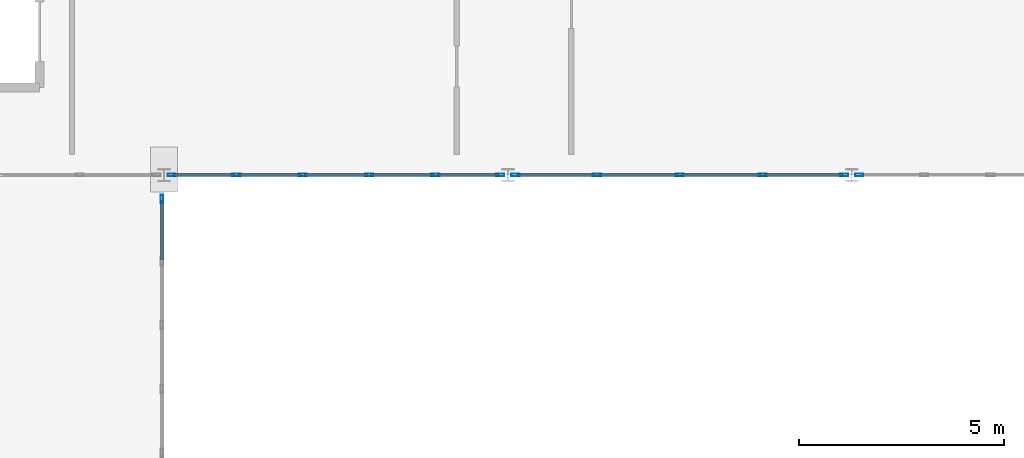
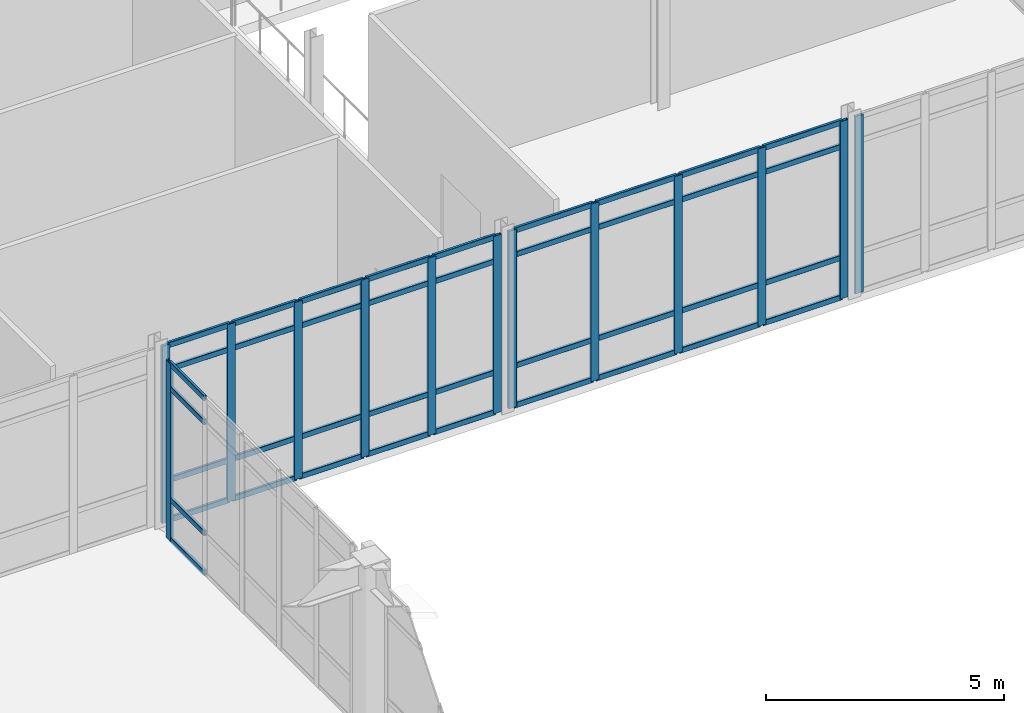
# One storey, part 75 of 154: 53 members, 4 elements without a shape of their own.
"""IFC4 building model written with IfcOpenShell, lengths in metres."""

from ifc_helpers import new_model, si_unit, direction, frame, origin, origin_2d, place, context, subcontext, project, spatial, hollow_rectangle, extrude, material, layer, layer_set, material_profile, profile_set, type_object, element, aggregate, save


model = new_model("IFC4")

# Units and contexts
model_context = context("Model", 3, precision=1e-05, world=origin(), true_north=direction((0.0, 1.0)))
body_context = subcontext(model_context, "Body", "Model", "MODEL_VIEW")
ifc_project = project(units=[si_unit("LENGTHUNIT", "METRE"), si_unit("AREAUNIT", "SQUARE_METRE"), si_unit("VOLUMEUNIT", "CUBIC_METRE"), si_unit("PLANEANGLEUNIT", "RADIAN"), si_unit("MASSUNIT", "GRAM", prefix="KILO")], contexts=[model_context])

# Site, building, storey
site_placement = place(None, origin())
site = spatial("IfcSite", under=ifc_project, at=site_placement, CompositionType="ELEMENT")
building_placement = place(site_placement, origin())
building = spatial("IfcBuilding", under=site, at=building_placement, Name="Kazehara Bluff Congress Hotel", CompositionType="ELEMENT")
storey_placement = place(building_placement, frame((0.0, 0.0, 10.199951171875)))
storey = spatial("IfcBuildingStorey", under=building, at=storey_placement, Name="L02", CompositionType="ELEMENT", Elevation=10.199951171875)

# Curtain wall, member
ifc_material_1 = material(Name="Anodised aluminium", Category="aluminium")
ifc_layer_1 = layer(ifc_material_1, 0.159912109375)
ifc_layer_set_1 = layer_set([ifc_layer_1], Name="Anodised aluminium")
curtain_wall_type_1 = type_object("IfcCurtainWallType", Name="TP-CW-03", PredefinedType="NOTDEFINED", material=ifc_layer_set_1)
curtain_wall_1_placement = place(storey_placement, origin())
curtain_wall_1 = element("IfcCurtainWall", 1, at=curtain_wall_1_placement, inside=storey, type_object=curtain_wall_type_1, Name="L02 curtain wall CW-03 CW-BRG-34-L02-B", PredefinedType="NOTDEFINED")
ifc_material_2 = material(Name="Anodised aluminium", Category="aluminium")
ifc_material_profile_1 = material_profile(ifc_material_2, hollow_rectangle(XDim=0.070068359375, YDim=0.199951171875, WallThickness=0.0048828125, InnerFilletRadius=0.0048828125, OuterFilletRadius=0.010009765625, at=origin_2d()))
ifc_profile_set_1 = profile_set([ifc_material_profile_1], Name="Anodised aluminium")
member_type_1 = type_object("IfcMemberType", Name="TP-CWM-03", PredefinedType="MULLION", material=ifc_profile_set_1)
member_1_placement = place(storey_placement, frame((67.60009765625, 80.31494140625, 0.0), z_axis=(0.0, 0.0, 1.0), x_axis=(-1.0, 0.0, 0.0)))
member_1 = element("IfcMember", 2, at=member_1_placement, type_object=member_type_1, Name="CW-03 mullion 6", PredefinedType="MULLION", context=body_context, shape_type="SweptSolid", body=[
    extrude(hollow_rectangle(XDim=0.070068359375, YDim=0.199951171875, WallThickness=0.0048828125, InnerFilletRadius=0.0048828125, OuterFilletRadius=0.010009765625, at=origin_2d()), origin(), (0.0, 0.0, 1.0), 4.545166015625),
])

# Curtain wall, members
ifc_material_3 = material(Name="Anodised aluminium", Category="aluminium")
ifc_layer_2 = layer(ifc_material_3, 0.159912109375)
ifc_layer_set_2 = layer_set([ifc_layer_2], Name="Anodised aluminium")
curtain_wall_type_2 = type_object("IfcCurtainWallType", Name="TP-CW-39", PredefinedType="NOTDEFINED", material=ifc_layer_set_2)
curtain_wall_2_placement = place(storey_placement, origin())
curtain_wall_2 = element("IfcCurtainWall", 3, at=curtain_wall_2_placement, inside=storey, type_object=curtain_wall_type_2, Name="L02 curtain wall CW-39 CW-V3-L02-Y8090-6780", PredefinedType="NOTDEFINED")
member_2_placement = place(storey_placement, frame((67.8349609375, 80.89990234375, 0.0), z_axis=(0.0, 0.0, 1.0), x_axis=(0.0, 1.0, 0.0)))
member_2 = element("IfcMember", 4, at=member_2_placement, type_object=member_type_1, Name="CW-39 mullion 1", PredefinedType="MULLION", context=body_context, shape_type="SweptSolid", body=[
    extrude(hollow_rectangle(XDim=0.070068359375, YDim=0.199951171875, WallThickness=0.0048828125, InnerFilletRadius=0.0048828125, OuterFilletRadius=0.010009765625, at=origin_2d()), origin(), (0.0, 0.0, 1.0), 4.545166015625),
])
member_3_placement = place(storey_placement, frame((69.419921875, 80.89990234375, 0.0), z_axis=(0.0, 0.0, 1.0), x_axis=(0.0, 1.0, 0.0)))
member_3 = element("IfcMember", 5, at=member_3_placement, type_object=member_type_1, Name="CW-39 mullion 2", PredefinedType="MULLION", context=body_context, shape_type="SweptSolid", body=[
    extrude(hollow_rectangle(XDim=0.070068359375, YDim=0.199951171875, WallThickness=0.0048828125, InnerFilletRadius=0.0048828125, OuterFilletRadius=0.010009765625, at=origin_2d()), origin(), (0.0, 0.0, 1.0), 4.545166015625),
])
member_4_placement = place(storey_placement, frame((71.0400390625, 80.89990234375, 0.0), z_axis=(0.0, 0.0, 1.0), x_axis=(0.0, 1.0, 0.0)))
member_4 = element("IfcMember", 6, at=member_4_placement, type_object=member_type_1, Name="CW-39 mullion 3", PredefinedType="MULLION", context=body_context, shape_type="SweptSolid", body=[
    extrude(hollow_rectangle(XDim=0.070068359375, YDim=0.199951171875, WallThickness=0.0048828125, InnerFilletRadius=0.0048828125, OuterFilletRadius=0.010009765625, at=origin_2d()), origin(), (0.0, 0.0, 1.0), 4.545166015625),
])
member_5_placement = place(storey_placement, frame((72.659912109375, 80.89990234375, 0.0), z_axis=(0.0, 0.0, 1.0), x_axis=(0.0, 1.0, 0.0)))
member_5 = element("IfcMember", 7, at=member_5_placement, type_object=member_type_1, Name="CW-39 mullion 4", PredefinedType="MULLION", context=body_context, shape_type="SweptSolid", body=[
    extrude(hollow_rectangle(XDim=0.070068359375, YDim=0.199951171875, WallThickness=0.0048828125, InnerFilletRadius=0.0048828125, OuterFilletRadius=0.010009765625, at=origin_2d()), origin(), (0.0, 0.0, 1.0), 4.545166015625),
])
member_6_placement = place(storey_placement, frame((74.280029296875, 80.89990234375, 0.0), z_axis=(0.0, 0.0, 1.0), x_axis=(0.0, 1.0, 0.0)))
member_6 = element("IfcMember", 8, at=member_6_placement, type_object=member_type_1, Name="CW-39 mullion 5", PredefinedType="MULLION", context=body_context, shape_type="SweptSolid", body=[
    extrude(hollow_rectangle(XDim=0.070068359375, YDim=0.199951171875, WallThickness=0.0048828125, InnerFilletRadius=0.0048828125, OuterFilletRadius=0.010009765625, at=origin_2d()), origin(), (0.0, 0.0, 1.0), 4.545166015625),
])
member_7_placement = place(storey_placement, frame((75.864990234375, 80.89990234375, 0.0), z_axis=(0.0, 0.0, 1.0), x_axis=(0.0, 1.0, 0.0)))
member_7 = element("IfcMember", 9, at=member_7_placement, type_object=member_type_1, Name="CW-39 mullion 6", PredefinedType="MULLION", context=body_context, shape_type="SweptSolid", body=[
    extrude(hollow_rectangle(XDim=0.070068359375, YDim=0.199951171875, WallThickness=0.0048828125, InnerFilletRadius=0.0048828125, OuterFilletRadius=0.010009765625, at=origin_2d()), origin(), (0.0, 0.0, 1.0), 4.545166015625),
])

curtain_wall_3_placement = place(storey_placement, origin())
curtain_wall_3 = element("IfcCurtainWall", 10, at=curtain_wall_3_placement, inside=storey, type_object=curtain_wall_type_2, Name="L02 curtain wall CW-39 CW-V3-L02-Y8090-7620", PredefinedType="NOTDEFINED")
member_8_placement = place(storey_placement, frame((76.235107421875, 80.89990234375, 0.0), z_axis=(0.0, 0.0, 1.0), x_axis=(0.0, 1.0, 0.0)))
member_8 = element("IfcMember", 11, at=member_8_placement, type_object=member_type_1, Name="CW-39 mullion 1", PredefinedType="MULLION", context=body_context, shape_type="SweptSolid", body=[
    extrude(hollow_rectangle(XDim=0.070068359375, YDim=0.199951171875, WallThickness=0.0048828125, InnerFilletRadius=0.0048828125, OuterFilletRadius=0.010009765625, at=origin_2d()), origin(), (0.0, 0.0, 1.0), 4.545166015625),
])
member_9_placement = place(storey_placement, frame((78.22509765625, 80.89990234375, 0.0), z_axis=(0.0, 0.0, 1.0), x_axis=(0.0, 1.0, 0.0)))
member_9 = element("IfcMember", 12, at=member_9_placement, type_object=member_type_1, Name="CW-39 mullion 2", PredefinedType="MULLION", context=body_context, shape_type="SweptSolid", body=[
    extrude(hollow_rectangle(XDim=0.070068359375, YDim=0.199951171875, WallThickness=0.0048828125, InnerFilletRadius=0.0048828125, OuterFilletRadius=0.010009765625, at=origin_2d()), origin(), (0.0, 0.0, 1.0), 4.545166015625),
])
member_10_placement = place(storey_placement, frame((80.25, 80.89990234375, 0.0), z_axis=(0.0, 0.0, 1.0), x_axis=(0.0, 1.0, 0.0)))
member_10 = element("IfcMember", 13, at=member_10_placement, type_object=member_type_1, Name="CW-39 mullion 3", PredefinedType="MULLION", context=body_context, shape_type="SweptSolid", body=[
    extrude(hollow_rectangle(XDim=0.070068359375, YDim=0.199951171875, WallThickness=0.0048828125, InnerFilletRadius=0.0048828125, OuterFilletRadius=0.010009765625, at=origin_2d()), origin(), (0.0, 0.0, 1.0), 4.545166015625),
])
member_11_placement = place(storey_placement, frame((82.27490234375, 80.89990234375, 0.0), z_axis=(0.0, 0.0, 1.0), x_axis=(0.0, 1.0, 0.0)))
member_11 = element("IfcMember", 14, at=member_11_placement, type_object=member_type_1, Name="CW-39 mullion 4", PredefinedType="MULLION", context=body_context, shape_type="SweptSolid", body=[
    extrude(hollow_rectangle(XDim=0.070068359375, YDim=0.199951171875, WallThickness=0.0048828125, InnerFilletRadius=0.0048828125, OuterFilletRadius=0.010009765625, at=origin_2d()), origin(), (0.0, 0.0, 1.0), 4.545166015625),
])
member_12_placement = place(storey_placement, frame((84.264892578125, 80.89990234375, 0.0), z_axis=(0.0, 0.0, 1.0), x_axis=(0.0, 1.0, 0.0)))
member_12 = element("IfcMember", 15, at=member_12_placement, type_object=member_type_1, Name="CW-39 mullion 5", PredefinedType="MULLION", context=body_context, shape_type="SweptSolid", body=[
    extrude(hollow_rectangle(XDim=0.070068359375, YDim=0.199951171875, WallThickness=0.0048828125, InnerFilletRadius=0.0048828125, OuterFilletRadius=0.010009765625, at=origin_2d()), origin(), (0.0, 0.0, 1.0), 4.545166015625),
])

# Curtain wall, member
curtain_wall_4_placement = place(storey_placement, origin())
curtain_wall_4 = element("IfcCurtainWall", 16, at=curtain_wall_4_placement, inside=storey, type_object=curtain_wall_type_2, Name="L02 curtain wall CW-39 CW-V3-L02-Y8090-8460", PredefinedType="NOTDEFINED")
member_13_placement = place(storey_placement, frame((84.635009765625, 80.89990234375, 0.0), z_axis=(0.0, 0.0, 1.0), x_axis=(0.0, 1.0, 0.0)))
member_13 = element("IfcMember", 17, at=member_13_placement, type_object=member_type_1, Name="CW-39 mullion 1", PredefinedType="MULLION", context=body_context, shape_type="SweptSolid", body=[
    extrude(hollow_rectangle(XDim=0.070068359375, YDim=0.199951171875, WallThickness=0.0048828125, InnerFilletRadius=0.0048828125, OuterFilletRadius=0.010009765625, at=origin_2d()), origin(), (0.0, 0.0, 1.0), 4.545166015625),
])
aggregate(curtain_wall_4, [member_13])

# Member
ifc_material_4 = material(Name="Anodised aluminium", Category="aluminium")
ifc_material_profile_2 = material_profile(ifc_material_4, hollow_rectangle(XDim=0.06494140625, YDim=0.139892578125, WallThickness=0.00390625, InnerFilletRadius=0.00390625, OuterFilletRadius=0.008056640625, at=origin_2d()))
ifc_profile_set_2 = profile_set([ifc_material_profile_2], Name="Anodised aluminium")
member_type_2 = type_object("IfcMemberType", Name="TP-CWT-02", PredefinedType="USERDEFINED", material=ifc_profile_set_2)
member_14_placement = place(storey_placement, frame((67.60009765625, 78.824951171875, 0.032470703125), z_axis=(0.0, 1.0, 0.0), x_axis=(-1.0, 0.0, 0.0)))
member_14 = element("IfcMember", 18, at=member_14_placement, type_object=member_type_2, Name="CW-03 transom 5.1", ObjectType="TRANSOM", PredefinedType="USERDEFINED", context=body_context, shape_type="SweptSolid", body=[
    extrude(hollow_rectangle(XDim=0.06494140625, YDim=0.139892578125, WallThickness=0.00390625, InnerFilletRadius=0.00390625, OuterFilletRadius=0.008056640625, at=origin_2d()), origin(), (0.0, 0.0, 1.0), 1.455078125),
])

member_15_placement = place(storey_placement, frame((67.60009765625, 78.824951171875, 1.050048828125), z_axis=(0.0, 1.0, 0.0), x_axis=(-1.0, 0.0, 0.0)))
member_15 = element("IfcMember", 19, at=member_15_placement, type_object=member_type_2, Name="CW-03 transom 5.2", ObjectType="TRANSOM", PredefinedType="USERDEFINED", context=body_context, shape_type="SweptSolid", body=[
    extrude(hollow_rectangle(XDim=0.06494140625, YDim=0.139892578125, WallThickness=0.00390625, InnerFilletRadius=0.00390625, OuterFilletRadius=0.008056640625, at=origin_2d()), origin(), (0.0, 0.0, 1.0), 1.455078125),
])

member_16_placement = place(storey_placement, frame((67.60009765625, 78.824951171875, 3.89501953125), z_axis=(0.0, 1.0, 0.0), x_axis=(-1.0, 0.0, 0.0)))
member_16 = element("IfcMember", 20, at=member_16_placement, type_object=member_type_2, Name="CW-03 transom 5.3", ObjectType="TRANSOM", PredefinedType="USERDEFINED", context=body_context, shape_type="SweptSolid", body=[
    extrude(hollow_rectangle(XDim=0.06494140625, YDim=0.139892578125, WallThickness=0.00390625, InnerFilletRadius=0.00390625, OuterFilletRadius=0.008056640625, at=origin_2d()), origin(), (0.0, 0.0, 1.0), 1.455078125),
])

member_17_placement = place(storey_placement, frame((67.60009765625, 78.824951171875, 4.512451171875), z_axis=(0.0, 1.0, 0.0), x_axis=(-1.0, 0.0, 0.0)))
member_17 = element("IfcMember", 21, at=member_17_placement, type_object=member_type_2, Name="CW-03 transom 5.4", ObjectType="TRANSOM", PredefinedType="USERDEFINED", context=body_context, shape_type="SweptSolid", body=[
    extrude(hollow_rectangle(XDim=0.06494140625, YDim=0.139892578125, WallThickness=0.00390625, InnerFilletRadius=0.00390625, OuterFilletRadius=0.008056640625, at=origin_2d()), origin(), (0.0, 0.0, 1.0), 1.455078125),
])

aggregate(curtain_wall_1, [member_1, member_14, member_15, member_16, member_17])

member_18_placement = place(storey_placement, frame((67.8701171875, 80.89990234375, 0.032470703125), z_axis=(1.0, 0.0, 0.0), x_axis=(0.0, 1.0, 0.0)))
member_18 = element("IfcMember", 22, at=member_18_placement, type_object=member_type_2, Name="CW-39 transom 1.1", ObjectType="TRANSOM", PredefinedType="USERDEFINED", context=body_context, shape_type="SweptSolid", body=[
    extrude(hollow_rectangle(XDim=0.06494140625, YDim=0.139892578125, WallThickness=0.00390625, InnerFilletRadius=0.00390625, OuterFilletRadius=0.008056640625, at=origin_2d()), origin(), (0.0, 0.0, 1.0), 1.514892578125),
])

member_19_placement = place(storey_placement, frame((67.8701171875, 80.89990234375, 1.050048828125), z_axis=(1.0, 0.0, 0.0), x_axis=(0.0, 1.0, 0.0)))
member_19 = element("IfcMember", 23, at=member_19_placement, type_object=member_type_2, Name="CW-39 transom 1.2", ObjectType="TRANSOM", PredefinedType="USERDEFINED", context=body_context, shape_type="SweptSolid", body=[
    extrude(hollow_rectangle(XDim=0.06494140625, YDim=0.139892578125, WallThickness=0.00390625, InnerFilletRadius=0.00390625, OuterFilletRadius=0.008056640625, at=origin_2d()), origin(), (0.0, 0.0, 1.0), 1.514892578125),
])

member_20_placement = place(storey_placement, frame((67.8701171875, 80.89990234375, 3.89501953125), z_axis=(1.0, 0.0, 0.0), x_axis=(0.0, 1.0, 0.0)))
member_20 = element("IfcMember", 24, at=member_20_placement, type_object=member_type_2, Name="CW-39 transom 1.3", ObjectType="TRANSOM", PredefinedType="USERDEFINED", context=body_context, shape_type="SweptSolid", body=[
    extrude(hollow_rectangle(XDim=0.06494140625, YDim=0.139892578125, WallThickness=0.00390625, InnerFilletRadius=0.00390625, OuterFilletRadius=0.008056640625, at=origin_2d()), origin(), (0.0, 0.0, 1.0), 1.514892578125),
])

member_21_placement = place(storey_placement, frame((67.8701171875, 80.89990234375, 4.512451171875), z_axis=(1.0, 0.0, 0.0), x_axis=(0.0, 1.0, 0.0)))
member_21 = element("IfcMember", 25, at=member_21_placement, type_object=member_type_2, Name="CW-39 transom 1.4", ObjectType="TRANSOM", PredefinedType="USERDEFINED", context=body_context, shape_type="SweptSolid", body=[
    extrude(hollow_rectangle(XDim=0.06494140625, YDim=0.139892578125, WallThickness=0.00390625, InnerFilletRadius=0.00390625, OuterFilletRadius=0.008056640625, at=origin_2d()), origin(), (0.0, 0.0, 1.0), 1.514892578125),
])

member_22_placement = place(storey_placement, frame((69.455078125, 80.89990234375, 0.032470703125), z_axis=(1.0, 0.0, 0.0), x_axis=(0.0, 1.0, 0.0)))
member_22 = element("IfcMember", 26, at=member_22_placement, type_object=member_type_2, Name="CW-39 transom 2.1", ObjectType="TRANSOM", PredefinedType="USERDEFINED", context=body_context, shape_type="SweptSolid", body=[
    extrude(hollow_rectangle(XDim=0.06494140625, YDim=0.139892578125, WallThickness=0.00390625, InnerFilletRadius=0.00390625, OuterFilletRadius=0.008056640625, at=origin_2d()), origin(), (0.0, 0.0, 1.0), 1.5498046875),
])

member_23_placement = place(storey_placement, frame((69.455078125, 80.89990234375, 1.050048828125), z_axis=(1.0, 0.0, 0.0), x_axis=(0.0, 1.0, 0.0)))
member_23 = element("IfcMember", 27, at=member_23_placement, type_object=member_type_2, Name="CW-39 transom 2.2", ObjectType="TRANSOM", PredefinedType="USERDEFINED", context=body_context, shape_type="SweptSolid", body=[
    extrude(hollow_rectangle(XDim=0.06494140625, YDim=0.139892578125, WallThickness=0.00390625, InnerFilletRadius=0.00390625, OuterFilletRadius=0.008056640625, at=origin_2d()), origin(), (0.0, 0.0, 1.0), 1.5498046875),
])

member_24_placement = place(storey_placement, frame((69.455078125, 80.89990234375, 3.89501953125), z_axis=(1.0, 0.0, 0.0), x_axis=(0.0, 1.0, 0.0)))
member_24 = element("IfcMember", 28, at=member_24_placement, type_object=member_type_2, Name="CW-39 transom 2.3", ObjectType="TRANSOM", PredefinedType="USERDEFINED", context=body_context, shape_type="SweptSolid", body=[
    extrude(hollow_rectangle(XDim=0.06494140625, YDim=0.139892578125, WallThickness=0.00390625, InnerFilletRadius=0.00390625, OuterFilletRadius=0.008056640625, at=origin_2d()), origin(), (0.0, 0.0, 1.0), 1.5498046875),
])

member_25_placement = place(storey_placement, frame((69.455078125, 80.89990234375, 4.512451171875), z_axis=(1.0, 0.0, 0.0), x_axis=(0.0, 1.0, 0.0)))
member_25 = element("IfcMember", 29, at=member_25_placement, type_object=member_type_2, Name="CW-39 transom 2.4", ObjectType="TRANSOM", PredefinedType="USERDEFINED", context=body_context, shape_type="SweptSolid", body=[
    extrude(hollow_rectangle(XDim=0.06494140625, YDim=0.139892578125, WallThickness=0.00390625, InnerFilletRadius=0.00390625, OuterFilletRadius=0.008056640625, at=origin_2d()), origin(), (0.0, 0.0, 1.0), 1.5498046875),
])

member_26_placement = place(storey_placement, frame((71.074951171875, 80.89990234375, 0.032470703125), z_axis=(1.0, 0.0, 0.0), x_axis=(0.0, 1.0, 0.0)))
member_26 = element("IfcMember", 30, at=member_26_placement, type_object=member_type_2, Name="CW-39 transom 3.1", ObjectType="TRANSOM", PredefinedType="USERDEFINED", context=body_context, shape_type="SweptSolid", body=[
    extrude(hollow_rectangle(XDim=0.06494140625, YDim=0.139892578125, WallThickness=0.00390625, InnerFilletRadius=0.00390625, OuterFilletRadius=0.008056640625, at=origin_2d()), origin(), (0.0, 0.0, 1.0), 1.550048828125),
])

member_27_placement = place(storey_placement, frame((71.074951171875, 80.89990234375, 1.050048828125), z_axis=(1.0, 0.0, 0.0), x_axis=(0.0, 1.0, 0.0)))
member_27 = element("IfcMember", 31, at=member_27_placement, type_object=member_type_2, Name="CW-39 transom 3.2", ObjectType="TRANSOM", PredefinedType="USERDEFINED", context=body_context, shape_type="SweptSolid", body=[
    extrude(hollow_rectangle(XDim=0.06494140625, YDim=0.139892578125, WallThickness=0.00390625, InnerFilletRadius=0.00390625, OuterFilletRadius=0.008056640625, at=origin_2d()), origin(), (0.0, 0.0, 1.0), 1.550048828125),
])

member_28_placement = place(storey_placement, frame((71.074951171875, 80.89990234375, 3.89501953125), z_axis=(1.0, 0.0, 0.0), x_axis=(0.0, 1.0, 0.0)))
member_28 = element("IfcMember", 32, at=member_28_placement, type_object=member_type_2, Name="CW-39 transom 3.3", ObjectType="TRANSOM", PredefinedType="USERDEFINED", context=body_context, shape_type="SweptSolid", body=[
    extrude(hollow_rectangle(XDim=0.06494140625, YDim=0.139892578125, WallThickness=0.00390625, InnerFilletRadius=0.00390625, OuterFilletRadius=0.008056640625, at=origin_2d()), origin(), (0.0, 0.0, 1.0), 1.550048828125),
])

member_29_placement = place(storey_placement, frame((71.074951171875, 80.89990234375, 4.512451171875), z_axis=(1.0, 0.0, 0.0), x_axis=(0.0, 1.0, 0.0)))
member_29 = element("IfcMember", 33, at=member_29_placement, type_object=member_type_2, Name="CW-39 transom 3.4", ObjectType="TRANSOM", PredefinedType="USERDEFINED", context=body_context, shape_type="SweptSolid", body=[
    extrude(hollow_rectangle(XDim=0.06494140625, YDim=0.139892578125, WallThickness=0.00390625, InnerFilletRadius=0.00390625, OuterFilletRadius=0.008056640625, at=origin_2d()), origin(), (0.0, 0.0, 1.0), 1.550048828125),
])

member_30_placement = place(storey_placement, frame((72.695068359375, 80.89990234375, 0.032470703125), z_axis=(1.0, 0.0, 0.0), x_axis=(0.0, 1.0, 0.0)))
member_30 = element("IfcMember", 34, at=member_30_placement, type_object=member_type_2, Name="CW-39 transom 4.1", ObjectType="TRANSOM", PredefinedType="USERDEFINED", context=body_context, shape_type="SweptSolid", body=[
    extrude(hollow_rectangle(XDim=0.06494140625, YDim=0.139892578125, WallThickness=0.00390625, InnerFilletRadius=0.00390625, OuterFilletRadius=0.008056640625, at=origin_2d()), origin(), (0.0, 0.0, 1.0), 1.550048828125),
])

member_31_placement = place(storey_placement, frame((72.695068359375, 80.89990234375, 1.050048828125), z_axis=(1.0, 0.0, 0.0), x_axis=(0.0, 1.0, 0.0)))
member_31 = element("IfcMember", 35, at=member_31_placement, type_object=member_type_2, Name="CW-39 transom 4.2", ObjectType="TRANSOM", PredefinedType="USERDEFINED", context=body_context, shape_type="SweptSolid", body=[
    extrude(hollow_rectangle(XDim=0.06494140625, YDim=0.139892578125, WallThickness=0.00390625, InnerFilletRadius=0.00390625, OuterFilletRadius=0.008056640625, at=origin_2d()), origin(), (0.0, 0.0, 1.0), 1.550048828125),
])

member_32_placement = place(storey_placement, frame((72.695068359375, 80.89990234375, 3.89501953125), z_axis=(1.0, 0.0, 0.0), x_axis=(0.0, 1.0, 0.0)))
member_32 = element("IfcMember", 36, at=member_32_placement, type_object=member_type_2, Name="CW-39 transom 4.3", ObjectType="TRANSOM", PredefinedType="USERDEFINED", context=body_context, shape_type="SweptSolid", body=[
    extrude(hollow_rectangle(XDim=0.06494140625, YDim=0.139892578125, WallThickness=0.00390625, InnerFilletRadius=0.00390625, OuterFilletRadius=0.008056640625, at=origin_2d()), origin(), (0.0, 0.0, 1.0), 1.550048828125),
])

member_33_placement = place(storey_placement, frame((72.695068359375, 80.89990234375, 4.512451171875), z_axis=(1.0, 0.0, 0.0), x_axis=(0.0, 1.0, 0.0)))
member_33 = element("IfcMember", 37, at=member_33_placement, type_object=member_type_2, Name="CW-39 transom 4.4", ObjectType="TRANSOM", PredefinedType="USERDEFINED", context=body_context, shape_type="SweptSolid", body=[
    extrude(hollow_rectangle(XDim=0.06494140625, YDim=0.139892578125, WallThickness=0.00390625, InnerFilletRadius=0.00390625, OuterFilletRadius=0.008056640625, at=origin_2d()), origin(), (0.0, 0.0, 1.0), 1.550048828125),
])

member_34_placement = place(storey_placement, frame((74.31494140625, 80.89990234375, 0.032470703125), z_axis=(1.0, 0.0, 0.0), x_axis=(0.0, 1.0, 0.0)))
member_34 = element("IfcMember", 38, at=member_34_placement, type_object=member_type_2, Name="CW-39 transom 5.1", ObjectType="TRANSOM", PredefinedType="USERDEFINED", context=body_context, shape_type="SweptSolid", body=[
    extrude(hollow_rectangle(XDim=0.06494140625, YDim=0.139892578125, WallThickness=0.00390625, InnerFilletRadius=0.00390625, OuterFilletRadius=0.008056640625, at=origin_2d()), origin(), (0.0, 0.0, 1.0), 1.51513671875),
])

member_35_placement = place(storey_placement, frame((74.31494140625, 80.89990234375, 1.050048828125), z_axis=(1.0, 0.0, 0.0), x_axis=(0.0, 1.0, 0.0)))
member_35 = element("IfcMember", 39, at=member_35_placement, type_object=member_type_2, Name="CW-39 transom 5.2", ObjectType="TRANSOM", PredefinedType="USERDEFINED", context=body_context, shape_type="SweptSolid", body=[
    extrude(hollow_rectangle(XDim=0.06494140625, YDim=0.139892578125, WallThickness=0.00390625, InnerFilletRadius=0.00390625, OuterFilletRadius=0.008056640625, at=origin_2d()), origin(), (0.0, 0.0, 1.0), 1.51513671875),
])

member_36_placement = place(storey_placement, frame((74.31494140625, 80.89990234375, 3.89501953125), z_axis=(1.0, 0.0, 0.0), x_axis=(0.0, 1.0, 0.0)))
member_36 = element("IfcMember", 40, at=member_36_placement, type_object=member_type_2, Name="CW-39 transom 5.3", ObjectType="TRANSOM", PredefinedType="USERDEFINED", context=body_context, shape_type="SweptSolid", body=[
    extrude(hollow_rectangle(XDim=0.06494140625, YDim=0.139892578125, WallThickness=0.00390625, InnerFilletRadius=0.00390625, OuterFilletRadius=0.008056640625, at=origin_2d()), origin(), (0.0, 0.0, 1.0), 1.51513671875),
])

member_37_placement = place(storey_placement, frame((74.31494140625, 80.89990234375, 4.512451171875), z_axis=(1.0, 0.0, 0.0), x_axis=(0.0, 1.0, 0.0)))
member_37 = element("IfcMember", 41, at=member_37_placement, type_object=member_type_2, Name="CW-39 transom 5.4", ObjectType="TRANSOM", PredefinedType="USERDEFINED", context=body_context, shape_type="SweptSolid", body=[
    extrude(hollow_rectangle(XDim=0.06494140625, YDim=0.139892578125, WallThickness=0.00390625, InnerFilletRadius=0.00390625, OuterFilletRadius=0.008056640625, at=origin_2d()), origin(), (0.0, 0.0, 1.0), 1.51513671875),
])

aggregate(curtain_wall_2, [member_2, member_3, member_4, member_5, member_6, member_7, member_18, member_19, member_20, member_21, member_22, member_23, member_24, member_25, member_26, member_27, member_28, member_29, member_30, member_31, member_32, member_33, member_34, member_35, member_36, member_37])

member_38_placement = place(storey_placement, frame((76.27001953125, 80.89990234375, 0.032470703125), z_axis=(1.0, 0.0, 0.0), x_axis=(0.0, 1.0, 0.0)))
member_38 = element("IfcMember", 42, at=member_38_placement, type_object=member_type_2, Name="CW-39 transom 1.1", ObjectType="TRANSOM", PredefinedType="USERDEFINED", context=body_context, shape_type="SweptSolid", body=[
    extrude(hollow_rectangle(XDim=0.06494140625, YDim=0.139892578125, WallThickness=0.00390625, InnerFilletRadius=0.00390625, OuterFilletRadius=0.008056640625, at=origin_2d()), origin(), (0.0, 0.0, 1.0), 1.919921875),
])

member_39_placement = place(storey_placement, frame((76.27001953125, 80.89990234375, 1.050048828125), z_axis=(1.0, 0.0, 0.0), x_axis=(0.0, 1.0, 0.0)))
member_39 = element("IfcMember", 43, at=member_39_placement, type_object=member_type_2, Name="CW-39 transom 1.2", ObjectType="TRANSOM", PredefinedType="USERDEFINED", context=body_context, shape_type="SweptSolid", body=[
    extrude(hollow_rectangle(XDim=0.06494140625, YDim=0.139892578125, WallThickness=0.00390625, InnerFilletRadius=0.00390625, OuterFilletRadius=0.008056640625, at=origin_2d()), origin(), (0.0, 0.0, 1.0), 1.919921875),
])

member_40_placement = place(storey_placement, frame((76.27001953125, 80.89990234375, 3.89501953125), z_axis=(1.0, 0.0, 0.0), x_axis=(0.0, 1.0, 0.0)))
member_40 = element("IfcMember", 44, at=member_40_placement, type_object=member_type_2, Name="CW-39 transom 1.3", ObjectType="TRANSOM", PredefinedType="USERDEFINED", context=body_context, shape_type="SweptSolid", body=[
    extrude(hollow_rectangle(XDim=0.06494140625, YDim=0.139892578125, WallThickness=0.00390625, InnerFilletRadius=0.00390625, OuterFilletRadius=0.008056640625, at=origin_2d()), origin(), (0.0, 0.0, 1.0), 1.919921875),
])

member_41_placement = place(storey_placement, frame((76.27001953125, 80.89990234375, 4.512451171875), z_axis=(1.0, 0.0, 0.0), x_axis=(0.0, 1.0, 0.0)))
member_41 = element("IfcMember", 45, at=member_41_placement, type_object=member_type_2, Name="CW-39 transom 1.4", ObjectType="TRANSOM", PredefinedType="USERDEFINED", context=body_context, shape_type="SweptSolid", body=[
    extrude(hollow_rectangle(XDim=0.06494140625, YDim=0.139892578125, WallThickness=0.00390625, InnerFilletRadius=0.00390625, OuterFilletRadius=0.008056640625, at=origin_2d()), origin(), (0.0, 0.0, 1.0), 1.919921875),
])

member_42_placement = place(storey_placement, frame((78.260009765625, 80.89990234375, 0.032470703125), z_axis=(1.0, 0.0, 0.0), x_axis=(0.0, 1.0, 0.0)))
member_42 = element("IfcMember", 46, at=member_42_placement, type_object=member_type_2, Name="CW-39 transom 2.1", ObjectType="TRANSOM", PredefinedType="USERDEFINED", context=body_context, shape_type="SweptSolid", body=[
    extrude(hollow_rectangle(XDim=0.06494140625, YDim=0.139892578125, WallThickness=0.00390625, InnerFilletRadius=0.00390625, OuterFilletRadius=0.008056640625, at=origin_2d()), origin(), (0.0, 0.0, 1.0), 1.955078125),
])

member_43_placement = place(storey_placement, frame((78.260009765625, 80.89990234375, 1.050048828125), z_axis=(1.0, 0.0, 0.0), x_axis=(0.0, 1.0, 0.0)))
member_43 = element("IfcMember", 47, at=member_43_placement, type_object=member_type_2, Name="CW-39 transom 2.2", ObjectType="TRANSOM", PredefinedType="USERDEFINED", context=body_context, shape_type="SweptSolid", body=[
    extrude(hollow_rectangle(XDim=0.06494140625, YDim=0.139892578125, WallThickness=0.00390625, InnerFilletRadius=0.00390625, OuterFilletRadius=0.008056640625, at=origin_2d()), origin(), (0.0, 0.0, 1.0), 1.955078125),
])

member_44_placement = place(storey_placement, frame((78.260009765625, 80.89990234375, 3.89501953125), z_axis=(1.0, 0.0, 0.0), x_axis=(0.0, 1.0, 0.0)))
member_44 = element("IfcMember", 48, at=member_44_placement, type_object=member_type_2, Name="CW-39 transom 2.3", ObjectType="TRANSOM", PredefinedType="USERDEFINED", context=body_context, shape_type="SweptSolid", body=[
    extrude(hollow_rectangle(XDim=0.06494140625, YDim=0.139892578125, WallThickness=0.00390625, InnerFilletRadius=0.00390625, OuterFilletRadius=0.008056640625, at=origin_2d()), origin(), (0.0, 0.0, 1.0), 1.955078125),
])

member_45_placement = place(storey_placement, frame((78.260009765625, 80.89990234375, 4.512451171875), z_axis=(1.0, 0.0, 0.0), x_axis=(0.0, 1.0, 0.0)))
member_45 = element("IfcMember", 49, at=member_45_placement, type_object=member_type_2, Name="CW-39 transom 2.4", ObjectType="TRANSOM", PredefinedType="USERDEFINED", context=body_context, shape_type="SweptSolid", body=[
    extrude(hollow_rectangle(XDim=0.06494140625, YDim=0.139892578125, WallThickness=0.00390625, InnerFilletRadius=0.00390625, OuterFilletRadius=0.008056640625, at=origin_2d()), origin(), (0.0, 0.0, 1.0), 1.955078125),
])

member_46_placement = place(storey_placement, frame((80.284912109375, 80.89990234375, 0.032470703125), z_axis=(1.0, 0.0, 0.0), x_axis=(0.0, 1.0, 0.0)))
member_46 = element("IfcMember", 50, at=member_46_placement, type_object=member_type_2, Name="CW-39 transom 3.1", ObjectType="TRANSOM", PredefinedType="USERDEFINED", context=body_context, shape_type="SweptSolid", body=[
    extrude(hollow_rectangle(XDim=0.06494140625, YDim=0.139892578125, WallThickness=0.00390625, InnerFilletRadius=0.00390625, OuterFilletRadius=0.008056640625, at=origin_2d()), origin(), (0.0, 0.0, 1.0), 1.955078125),
])

member_47_placement = place(storey_placement, frame((80.284912109375, 80.89990234375, 1.050048828125), z_axis=(1.0, 0.0, 0.0), x_axis=(0.0, 1.0, 0.0)))
member_47 = element("IfcMember", 51, at=member_47_placement, type_object=member_type_2, Name="CW-39 transom 3.2", ObjectType="TRANSOM", PredefinedType="USERDEFINED", context=body_context, shape_type="SweptSolid", body=[
    extrude(hollow_rectangle(XDim=0.06494140625, YDim=0.139892578125, WallThickness=0.00390625, InnerFilletRadius=0.00390625, OuterFilletRadius=0.008056640625, at=origin_2d()), origin(), (0.0, 0.0, 1.0), 1.955078125),
])

member_48_placement = place(storey_placement, frame((80.284912109375, 80.89990234375, 3.89501953125), z_axis=(1.0, 0.0, 0.0), x_axis=(0.0, 1.0, 0.0)))
member_48 = element("IfcMember", 52, at=member_48_placement, type_object=member_type_2, Name="CW-39 transom 3.3", ObjectType="TRANSOM", PredefinedType="USERDEFINED", context=body_context, shape_type="SweptSolid", body=[
    extrude(hollow_rectangle(XDim=0.06494140625, YDim=0.139892578125, WallThickness=0.00390625, InnerFilletRadius=0.00390625, OuterFilletRadius=0.008056640625, at=origin_2d()), origin(), (0.0, 0.0, 1.0), 1.955078125),
])

member_49_placement = place(storey_placement, frame((80.284912109375, 80.89990234375, 4.512451171875), z_axis=(1.0, 0.0, 0.0), x_axis=(0.0, 1.0, 0.0)))
member_49 = element("IfcMember", 53, at=member_49_placement, type_object=member_type_2, Name="CW-39 transom 3.4", ObjectType="TRANSOM", PredefinedType="USERDEFINED", context=body_context, shape_type="SweptSolid", body=[
    extrude(hollow_rectangle(XDim=0.06494140625, YDim=0.139892578125, WallThickness=0.00390625, InnerFilletRadius=0.00390625, OuterFilletRadius=0.008056640625, at=origin_2d()), origin(), (0.0, 0.0, 1.0), 1.955078125),
])

member_50_placement = place(storey_placement, frame((82.31005859375, 80.89990234375, 0.032470703125), z_axis=(1.0, 0.0, 0.0), x_axis=(0.0, 1.0, 0.0)))
member_50 = element("IfcMember", 54, at=member_50_placement, type_object=member_type_2, Name="CW-39 transom 4.1", ObjectType="TRANSOM", PredefinedType="USERDEFINED", context=body_context, shape_type="SweptSolid", body=[
    extrude(hollow_rectangle(XDim=0.06494140625, YDim=0.139892578125, WallThickness=0.00390625, InnerFilletRadius=0.00390625, OuterFilletRadius=0.008056640625, at=origin_2d()), origin(), (0.0, 0.0, 1.0), 1.919921875),
])

member_51_placement = place(storey_placement, frame((82.31005859375, 80.89990234375, 1.050048828125), z_axis=(1.0, 0.0, 0.0), x_axis=(0.0, 1.0, 0.0)))
member_51 = element("IfcMember", 55, at=member_51_placement, type_object=member_type_2, Name="CW-39 transom 4.2", ObjectType="TRANSOM", PredefinedType="USERDEFINED", context=body_context, shape_type="SweptSolid", body=[
    extrude(hollow_rectangle(XDim=0.06494140625, YDim=0.139892578125, WallThickness=0.00390625, InnerFilletRadius=0.00390625, OuterFilletRadius=0.008056640625, at=origin_2d()), origin(), (0.0, 0.0, 1.0), 1.919921875),
])

member_52_placement = place(storey_placement, frame((82.31005859375, 80.89990234375, 3.89501953125), z_axis=(1.0, 0.0, 0.0), x_axis=(0.0, 1.0, 0.0)))
member_52 = element("IfcMember", 56, at=member_52_placement, type_object=member_type_2, Name="CW-39 transom 4.3", ObjectType="TRANSOM", PredefinedType="USERDEFINED", context=body_context, shape_type="SweptSolid", body=[
    extrude(hollow_rectangle(XDim=0.06494140625, YDim=0.139892578125, WallThickness=0.00390625, InnerFilletRadius=0.00390625, OuterFilletRadius=0.008056640625, at=origin_2d()), origin(), (0.0, 0.0, 1.0), 1.919921875),
])

member_53_placement = place(storey_placement, frame((82.31005859375, 80.89990234375, 4.512451171875), z_axis=(1.0, 0.0, 0.0), x_axis=(0.0, 1.0, 0.0)))
member_53 = element("IfcMember", 57, at=member_53_placement, type_object=member_type_2, Name="CW-39 transom 4.4", ObjectType="TRANSOM", PredefinedType="USERDEFINED", context=body_context, shape_type="SweptSolid", body=[
    extrude(hollow_rectangle(XDim=0.06494140625, YDim=0.139892578125, WallThickness=0.00390625, InnerFilletRadius=0.00390625, OuterFilletRadius=0.008056640625, at=origin_2d()), origin(), (0.0, 0.0, 1.0), 1.919921875),
])

aggregate(curtain_wall_3, [member_8, member_9, member_10, member_11, member_12, member_38, member_39, member_40, member_41, member_42, member_43, member_44, member_45, member_46, member_47, member_48, member_49, member_50, member_51, member_52, member_53])

save(model, "model.ifc")
